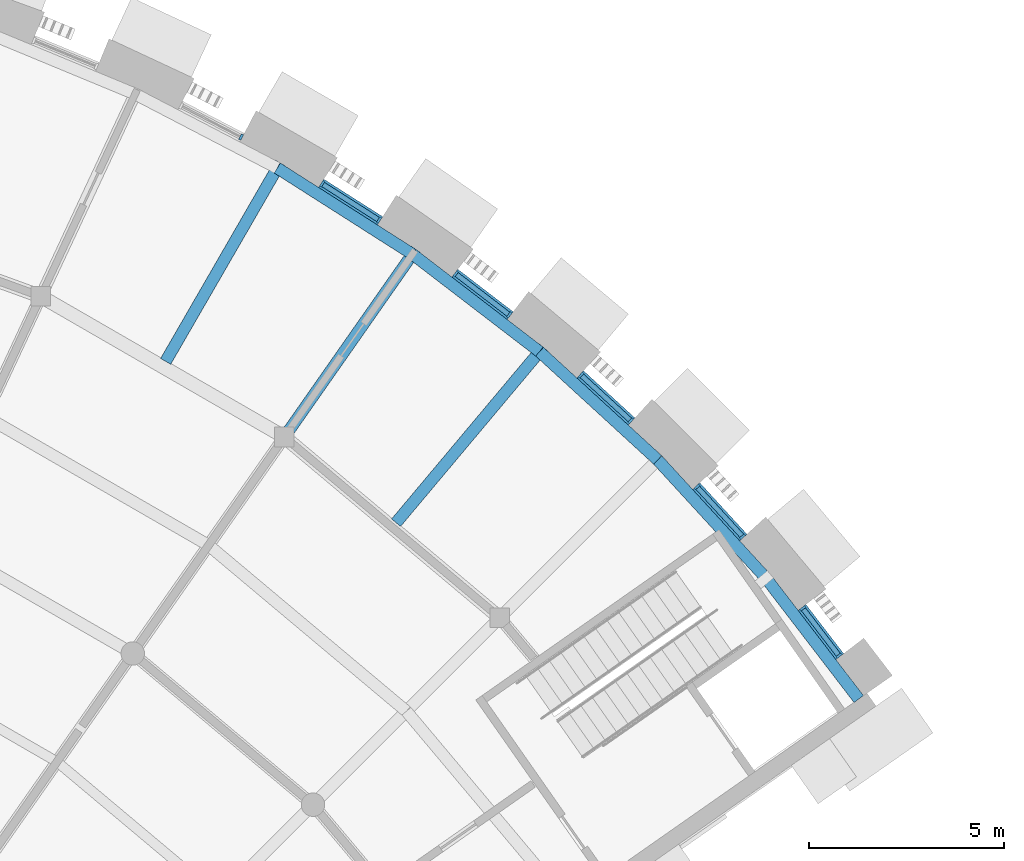
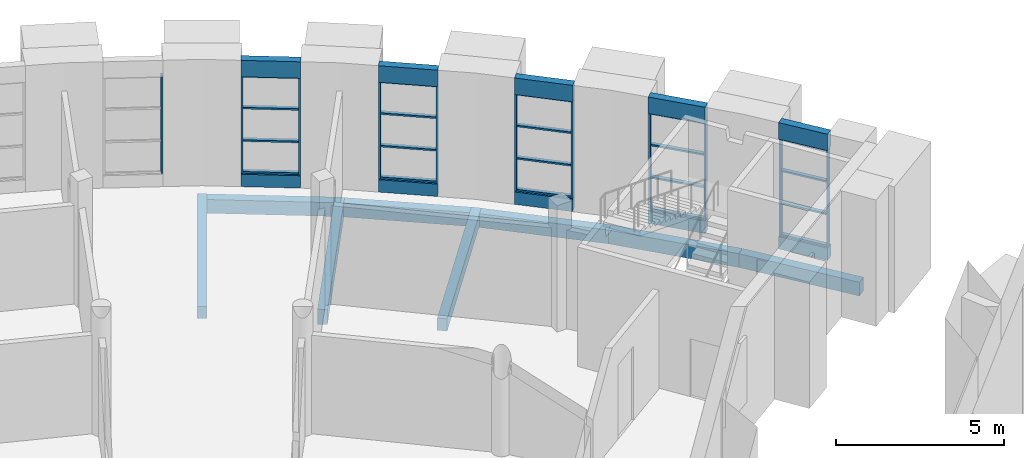
# One storey, part 15 of 50: 31 members, 18 beams, 6 elements without a shape of their own.
"""IFC4 building model written with IfcOpenShell, lengths in metres."""

from ifc_helpers import new_model, si_unit, direction, frame, origin, origin_2d, place, context, subcontext, project, spatial, rectangle, extrude, material, layer, layer_set, material_profile, profile_set, type_object, element, aggregate, save


model = new_model("IFC4")

# Units and contexts
model_context = context("Model", 3, precision=1e-05, world=origin(), true_north=direction((0.0, 1.0)))
body_context = subcontext(model_context, "Body", "Model", "MODEL_VIEW")
ifc_project = project(units=[si_unit("LENGTHUNIT", "METRE"), si_unit("AREAUNIT", "SQUARE_METRE"), si_unit("VOLUMEUNIT", "CUBIC_METRE"), si_unit("PLANEANGLEUNIT", "RADIAN"), si_unit("MASSUNIT", "GRAM", prefix="KILO")], contexts=[model_context])

# Site, building, storey
site_placement = place(None, origin())
site = spatial("IfcSite", under=ifc_project, at=site_placement, CompositionType="ELEMENT")
building_placement = place(site_placement, origin())
building = spatial("IfcBuilding", under=site, at=building_placement, Name="Volute Hill Aquarium", CompositionType="ELEMENT")
storey_placement = place(building_placement, frame((0.0, 0.0, 9.199951171875)))
storey = spatial("IfcBuildingStorey", under=building, at=storey_placement, Name="L03", CompositionType="ELEMENT", Elevation=9.199951171875)

# Beam
ifc_material_1 = material(Name="Concrete C35/45", Category="concrete")
ifc_material_profile_1 = material_profile(ifc_material_1, rectangle(XDim=0.300048828125, YDim=0.550048828125, at=origin_2d()), Name="RC beam 300x550")
ifc_profile_set_1 = profile_set([ifc_material_profile_1], Name="Concrete C35/45")
beam_type_1 = type_object("IfcBeamType", Name="Beam 300x550 C35/45", PredefinedType="BEAM", material=ifc_profile_set_1)
beam_1_placement = place(storey_placement, frame((23.681396484375, 33.82080078125, -0.56494140625), z_axis=(0.573602080408, 0.819134087529, 0.0), x_axis=(-0.819134087529, 0.573602080408, 0.0)))
element("IfcBeam", 1, at=beam_1_placement, inside=storey, type_object=beam_type_1, Name="bm/S5/L03/rad2.8", PredefinedType="BEAM", context=body_context, shape_type="SweptSolid", body=[
    extrude(rectangle(XDim=0.300048828125, YDim=0.550048828125, at=origin_2d()), origin(), (0.0, 0.0, 1.0), 5.862548828125),
])

# Curtain wall, members
ifc_material_2 = material(Name="Aluminium", Category="aluminium")
ifc_layer_1 = layer(ifc_material_2, 0.25)
ifc_layer_set_1 = layer_set([ifc_layer_1], Name="Curtain wall niche S5 module 1585")
curtain_wall_type_1 = type_object("IfcCurtainWallType", Name="Curtain wall niche S5 module 1585", PredefinedType="NOTDEFINED", material=ifc_layer_set_1)
curtain_wall_1_placement = place(storey_placement, origin())
curtain_wall_1 = element("IfcCurtainWall", 2, at=curtain_wall_1_placement, inside=storey, type_object=curtain_wall_type_1, Name="Curtain wall CW S5 L03 1", PredefinedType="NOTDEFINED")
ifc_material_3 = material(Name="Aluminium", Category="aluminium")
ifc_material_profile_2 = material_profile(ifc_material_3, rectangle(XDim=0.159912109375, YDim=0.06005859375, at=origin_2d()), Name="Curtain wall mullion S5 60x160")
ifc_profile_set_2 = profile_set([ifc_material_profile_2], Name="Aluminium")
member_type_1 = type_object("IfcMemberType", Name="Curtain wall mullion S5 60x160", PredefinedType="MULLION", material=ifc_profile_set_2)
member_1_placement = place(storey_placement, frame((37.873046875, 28.225830078125, 0.449951171875), z_axis=(0.0, 0.0, 1.0), x_axis=(-0.793360616468, -0.608751946393, 0.0)))
member_1 = element("IfcMember", 3, at=member_1_placement, type_object=member_type_1, Name="CW mullion 1", PredefinedType="MULLION", context=body_context, shape_type="SweptSolid", body=[
    extrude(rectangle(XDim=0.159912109375, YDim=0.06005859375, at=origin_2d()), origin(), (0.0, 0.0, 1.0), 3.550048828125),
])
member_2_placement = place(storey_placement, frame((36.944580078125, 29.43603515625, 0.449951171875), z_axis=(0.0, 0.0, 1.0), x_axis=(-0.793360616468, -0.608751946393, 0.0)))
member_2 = element("IfcMember", 4, at=member_2_placement, type_object=member_type_1, Name="CW mullion 2", PredefinedType="MULLION", context=body_context, shape_type="SweptSolid", body=[
    extrude(rectangle(XDim=0.159912109375, YDim=0.06005859375, at=origin_2d()), origin(), (0.0, 0.0, 1.0), 3.550048828125),
])

ifc_material_4 = material(Name="Aluminium", Category="aluminium")
ifc_layer_2 = layer(ifc_material_4, 0.25)
ifc_layer_set_2 = layer_set([ifc_layer_2], Name="Curtain wall niche S5 module 1786")
curtain_wall_type_2 = type_object("IfcCurtainWallType", Name="Curtain wall niche S5 module 1786", PredefinedType="NOTDEFINED", material=ifc_layer_set_2)
curtain_wall_2_placement = place(storey_placement, origin())
curtain_wall_2 = element("IfcCurtainWall", 5, at=curtain_wall_2_placement, inside=storey, type_object=curtain_wall_type_2, Name="Curtain wall CW S5 L03 2", PredefinedType="NOTDEFINED")
member_3_placement = place(storey_placement, frame((35.404296875, 31.271728515625, 0.449951171875), z_axis=(0.0, 0.0, 1.0), x_axis=(-0.737282446313, -0.675584631529, 0.0)))
member_3 = element("IfcMember", 6, at=member_3_placement, type_object=member_type_1, Name="CW mullion 1", PredefinedType="MULLION", context=body_context, shape_type="SweptSolid", body=[
    extrude(rectangle(XDim=0.159912109375, YDim=0.06005859375, at=origin_2d()), origin(), (0.0, 0.0, 1.0), 3.550048828125),
])
member_4_placement = place(storey_placement, frame((34.238525390625, 32.544189453125, 0.449951171875), z_axis=(0.0, 0.0, 1.0), x_axis=(-0.737282446313, -0.675584631529, 0.0)))
member_4 = element("IfcMember", 7, at=member_4_placement, type_object=member_type_1, Name="CW mullion 2", PredefinedType="MULLION", context=body_context, shape_type="SweptSolid", body=[
    extrude(rectangle(XDim=0.159912109375, YDim=0.06005859375, at=origin_2d()), origin(), (0.0, 0.0, 1.0), 3.550048828125),
])

curtain_wall_3_placement = place(storey_placement, origin())
curtain_wall_3 = element("IfcCurtainWall", 8, at=curtain_wall_3_placement, inside=storey, type_object=curtain_wall_type_2, Name="Curtain wall CW S5 L03 3", PredefinedType="NOTDEFINED")
member_5_placement = place(storey_placement, frame((32.5439453125, 34.238525390625, 0.449951171875), z_axis=(0.0, 0.0, 1.0), x_axis=(-0.675584631529, -0.737282446313, 0.0)))
member_5 = element("IfcMember", 9, at=member_5_placement, type_object=member_type_1, Name="CW mullion 1", PredefinedType="MULLION", context=body_context, shape_type="SweptSolid", body=[
    extrude(rectangle(XDim=0.159912109375, YDim=0.06005859375, at=origin_2d()), origin(), (0.0, 0.0, 1.0), 3.550048828125),
])
member_6_placement = place(storey_placement, frame((31.271728515625, 35.404296875, 0.449951171875), z_axis=(0.0, 0.0, 1.0), x_axis=(-0.675584631529, -0.737282446313, 0.0)))
member_6 = element("IfcMember", 10, at=member_6_placement, type_object=member_type_1, Name="CW mullion 2", PredefinedType="MULLION", context=body_context, shape_type="SweptSolid", body=[
    extrude(rectangle(XDim=0.159912109375, YDim=0.06005859375, at=origin_2d()), origin(), (0.0, 0.0, 1.0), 3.550048828125),
])

curtain_wall_4_placement = place(storey_placement, origin())
curtain_wall_4 = element("IfcCurtainWall", 11, at=curtain_wall_4_placement, inside=storey, type_object=curtain_wall_type_2, Name="Curtain wall CW S5 L03 4", PredefinedType="NOTDEFINED")
member_7_placement = place(storey_placement, frame((29.43603515625, 36.944580078125, 0.449951171875), z_axis=(0.0, 0.0, 1.0), x_axis=(-0.608754932261, -0.793358325379, 0.0)))
member_7 = element("IfcMember", 12, at=member_7_placement, type_object=member_type_1, Name="CW mullion 1", PredefinedType="MULLION", context=body_context, shape_type="SweptSolid", body=[
    extrude(rectangle(XDim=0.159912109375, YDim=0.06005859375, at=origin_2d()), origin(), (0.0, 0.0, 1.0), 3.550048828125),
])
member_8_placement = place(storey_placement, frame((28.067138671875, 37.9951171875, 0.449951171875), z_axis=(0.0, 0.0, 1.0), x_axis=(-0.608754932261, -0.793358325379, 0.0)))
member_8 = element("IfcMember", 13, at=member_8_placement, type_object=member_type_1, Name="CW mullion 2", PredefinedType="MULLION", context=body_context, shape_type="SweptSolid", body=[
    extrude(rectangle(XDim=0.159912109375, YDim=0.06005859375, at=origin_2d()), origin(), (0.0, 0.0, 1.0), 3.550048828125),
])

curtain_wall_5_placement = place(storey_placement, origin())
curtain_wall_5 = element("IfcCurtainWall", 14, at=curtain_wall_5_placement, inside=storey, type_object=curtain_wall_type_2, Name="Curtain wall CW S5 L03 5", PredefinedType="NOTDEFINED")
member_9_placement = place(storey_placement, frame((26.10400390625, 39.36962890625, 0.449951171875), z_axis=(0.0, 0.0, 1.0), x_axis=(-0.537309538629, -0.843385119444, 0.0)))
member_9 = element("IfcMember", 15, at=member_9_placement, type_object=member_type_1, Name="CW mullion 1", PredefinedType="MULLION", context=body_context, shape_type="SweptSolid", body=[
    extrude(rectangle(XDim=0.159912109375, YDim=0.06005859375, at=origin_2d()), origin(), (0.0, 0.0, 1.0), 3.550048828125),
])
member_10_placement = place(storey_placement, frame((24.648681640625, 40.296630859375, 0.449951171875), z_axis=(0.0, 0.0, 1.0), x_axis=(-0.537309538629, -0.843385119444, 0.0)))
member_10 = element("IfcMember", 16, at=member_10_placement, type_object=member_type_1, Name="CW mullion 2", PredefinedType="MULLION", context=body_context, shape_type="SweptSolid", body=[
    extrude(rectangle(XDim=0.159912109375, YDim=0.06005859375, at=origin_2d()), origin(), (0.0, 0.0, 1.0), 3.550048828125),
])

# Curtain wall, member
curtain_wall_6_placement = place(storey_placement, origin())
curtain_wall_6 = element("IfcCurtainWall", 17, at=curtain_wall_6_placement, inside=storey, type_object=curtain_wall_type_2, Name="Curtain wall CW S5 L03 6", PredefinedType="NOTDEFINED")
member_11_placement = place(storey_placement, frame((22.573486328125, 41.494873046875, 0.449951171875), z_axis=(0.0, 0.0, 1.0), x_axis=(-0.461755077763, -0.887007467928, 0.0)))
member_11 = element("IfcMember", 18, at=member_11_placement, type_object=member_type_1, Name="CW mullion 1", PredefinedType="MULLION", context=body_context, shape_type="SweptSolid", body=[
    extrude(rectangle(XDim=0.159912109375, YDim=0.06005859375, at=origin_2d()), origin(), (0.0, 0.0, 1.0), 3.550048828125),
])
aggregate(curtain_wall_6, [member_11])

# Member
ifc_material_5 = material(Name="Aluminium", Category="aluminium")
ifc_material_profile_3 = material_profile(ifc_material_5, rectangle(XDim=0.1298828125, YDim=0.06005859375, at=origin_2d()), Name="Curtain wall transom S5 60x130")
ifc_profile_set_3 = profile_set([ifc_material_profile_3], Name="Aluminium")
member_type_2 = type_object("IfcMemberType", Name="Curtain wall transom S5 60x130", PredefinedType="USERDEFINED", material=ifc_profile_set_3)
member_12_placement = place(storey_placement, frame((37.85498046875, 28.249755859375, 0.47998046875), z_axis=(-0.608760263302, 0.793354234768, 0.0), x_axis=(-0.793354234768, -0.608760263302, 0.0)))
member_12 = element("IfcMember", 19, at=member_12_placement, type_object=member_type_2, Name="CW transom 1.1", ObjectType="TRANSOM", PredefinedType="USERDEFINED", context=body_context, shape_type="SweptSolid", body=[
    extrude(rectangle(XDim=0.1298828125, YDim=0.06005859375, at=origin_2d()), origin(), (0.0, 0.0, 1.0), 1.46533203125),
])

member_13_placement = place(storey_placement, frame((37.85498046875, 28.249755859375, 1.63330078125), z_axis=(-0.608760263302, 0.793354234768, 0.0), x_axis=(-0.793354234768, -0.608760263302, 0.0)))
member_13 = element("IfcMember", 20, at=member_13_placement, type_object=member_type_2, Name="CW transom 1.2", ObjectType="TRANSOM", PredefinedType="USERDEFINED", context=body_context, shape_type="SweptSolid", body=[
    extrude(rectangle(XDim=0.1298828125, YDim=0.06005859375, at=origin_2d()), origin(), (0.0, 0.0, 1.0), 1.46533203125),
])

member_14_placement = place(storey_placement, frame((37.85498046875, 28.249755859375, 2.816650390625), z_axis=(-0.608760263302, 0.793354234768, 0.0), x_axis=(-0.793354234768, -0.608760263302, 0.0)))
member_14 = element("IfcMember", 21, at=member_14_placement, type_object=member_type_2, Name="CW transom 1.3", ObjectType="TRANSOM", PredefinedType="USERDEFINED", context=body_context, shape_type="SweptSolid", body=[
    extrude(rectangle(XDim=0.1298828125, YDim=0.06005859375, at=origin_2d()), origin(), (0.0, 0.0, 1.0), 1.46533203125),
])

member_15_placement = place(storey_placement, frame((37.85498046875, 28.249755859375, 3.969970703125), z_axis=(-0.608760263302, 0.793354234768, 0.0), x_axis=(-0.793354234768, -0.608760263302, 0.0)))
member_15 = element("IfcMember", 22, at=member_15_placement, type_object=member_type_2, Name="CW transom 1.4", ObjectType="TRANSOM", PredefinedType="USERDEFINED", context=body_context, shape_type="SweptSolid", body=[
    extrude(rectangle(XDim=0.1298828125, YDim=0.06005859375, at=origin_2d()), origin(), (0.0, 0.0, 1.0), 1.46533203125),
])

aggregate(curtain_wall_1, [member_1, member_2, member_12, member_13, member_14, member_15])

member_16_placement = place(storey_placement, frame((35.384033203125, 31.2939453125, 0.47998046875), z_axis=(-0.675578590257, 0.73728798199, 0.0), x_axis=(-0.73728798199, -0.675578590257, 0.0)))
member_16 = element("IfcMember", 23, at=member_16_placement, type_object=member_type_2, Name="CW transom 1.1", ObjectType="TRANSOM", PredefinedType="USERDEFINED", context=body_context, shape_type="SweptSolid", body=[
    extrude(rectangle(XDim=0.1298828125, YDim=0.06005859375, at=origin_2d()), origin(), (0.0, 0.0, 1.0), 1.66552734375),
])

member_17_placement = place(storey_placement, frame((35.384033203125, 31.2939453125, 1.63330078125), z_axis=(-0.675578590257, 0.73728798199, 0.0), x_axis=(-0.73728798199, -0.675578590257, 0.0)))
member_17 = element("IfcMember", 24, at=member_17_placement, type_object=member_type_2, Name="CW transom 1.2", ObjectType="TRANSOM", PredefinedType="USERDEFINED", context=body_context, shape_type="SweptSolid", body=[
    extrude(rectangle(XDim=0.1298828125, YDim=0.06005859375, at=origin_2d()), origin(), (0.0, 0.0, 1.0), 1.66552734375),
])

member_18_placement = place(storey_placement, frame((35.384033203125, 31.2939453125, 2.816650390625), z_axis=(-0.675578590257, 0.73728798199, 0.0), x_axis=(-0.73728798199, -0.675578590257, 0.0)))
member_18 = element("IfcMember", 25, at=member_18_placement, type_object=member_type_2, Name="CW transom 1.3", ObjectType="TRANSOM", PredefinedType="USERDEFINED", context=body_context, shape_type="SweptSolid", body=[
    extrude(rectangle(XDim=0.1298828125, YDim=0.06005859375, at=origin_2d()), origin(), (0.0, 0.0, 1.0), 1.66552734375),
])

member_19_placement = place(storey_placement, frame((35.384033203125, 31.2939453125, 3.969970703125), z_axis=(-0.675578590257, 0.73728798199, 0.0), x_axis=(-0.73728798199, -0.675578590257, 0.0)))
member_19 = element("IfcMember", 26, at=member_19_placement, type_object=member_type_2, Name="CW transom 1.4", ObjectType="TRANSOM", PredefinedType="USERDEFINED", context=body_context, shape_type="SweptSolid", body=[
    extrude(rectangle(XDim=0.1298828125, YDim=0.06005859375, at=origin_2d()), origin(), (0.0, 0.0, 1.0), 1.66552734375),
])

aggregate(curtain_wall_2, [member_3, member_4, member_16, member_17, member_18, member_19])

member_20_placement = place(storey_placement, frame((32.52197265625, 34.2587890625, 0.47998046875), z_axis=(-0.73728798199, 0.675578590257, 0.0), x_axis=(-0.675578590257, -0.73728798199, 0.0)))
member_20 = element("IfcMember", 27, at=member_20_placement, type_object=member_type_2, Name="CW transom 1.1", ObjectType="TRANSOM", PredefinedType="USERDEFINED", context=body_context, shape_type="SweptSolid", body=[
    extrude(rectangle(XDim=0.1298828125, YDim=0.06005859375, at=origin_2d()), origin(), (0.0, 0.0, 1.0), 1.66552734375),
])

member_21_placement = place(storey_placement, frame((32.52197265625, 34.2587890625, 1.63330078125), z_axis=(-0.73728798199, 0.675578590257, 0.0), x_axis=(-0.675578590257, -0.73728798199, 0.0)))
member_21 = element("IfcMember", 28, at=member_21_placement, type_object=member_type_2, Name="CW transom 1.2", ObjectType="TRANSOM", PredefinedType="USERDEFINED", context=body_context, shape_type="SweptSolid", body=[
    extrude(rectangle(XDim=0.1298828125, YDim=0.06005859375, at=origin_2d()), origin(), (0.0, 0.0, 1.0), 1.66552734375),
])

member_22_placement = place(storey_placement, frame((32.52197265625, 34.2587890625, 2.816650390625), z_axis=(-0.73728798199, 0.675578590257, 0.0), x_axis=(-0.675578590257, -0.73728798199, 0.0)))
member_22 = element("IfcMember", 29, at=member_22_placement, type_object=member_type_2, Name="CW transom 1.3", ObjectType="TRANSOM", PredefinedType="USERDEFINED", context=body_context, shape_type="SweptSolid", body=[
    extrude(rectangle(XDim=0.1298828125, YDim=0.06005859375, at=origin_2d()), origin(), (0.0, 0.0, 1.0), 1.66552734375),
])

member_23_placement = place(storey_placement, frame((32.52197265625, 34.2587890625, 3.969970703125), z_axis=(-0.73728798199, 0.675578590257, 0.0), x_axis=(-0.675578590257, -0.73728798199, 0.0)))
member_23 = element("IfcMember", 30, at=member_23_placement, type_object=member_type_2, Name="CW transom 1.4", ObjectType="TRANSOM", PredefinedType="USERDEFINED", context=body_context, shape_type="SweptSolid", body=[
    extrude(rectangle(XDim=0.1298828125, YDim=0.06005859375, at=origin_2d()), origin(), (0.0, 0.0, 1.0), 1.66552734375),
])

aggregate(curtain_wall_3, [member_5, member_6, member_20, member_21, member_22, member_23])

member_24_placement = place(storey_placement, frame((29.412353515625, 36.962890625, 0.47998046875), z_axis=(-0.793391634362, 0.608711519953, 0.0), x_axis=(-0.608711519953, -0.793391634362, 0.0)))
member_24 = element("IfcMember", 31, at=member_24_placement, type_object=member_type_2, Name="CW transom 1.1", ObjectType="TRANSOM", PredefinedType="USERDEFINED", context=body_context, shape_type="SweptSolid", body=[
    extrude(rectangle(XDim=0.1298828125, YDim=0.06005859375, at=origin_2d()), origin(), (0.0, 0.0, 1.0), 1.665771484375),
])

member_25_placement = place(storey_placement, frame((29.412353515625, 36.962890625, 1.63330078125), z_axis=(-0.793391634362, 0.608711519953, 0.0), x_axis=(-0.608711519953, -0.793391634362, 0.0)))
member_25 = element("IfcMember", 32, at=member_25_placement, type_object=member_type_2, Name="CW transom 1.2", ObjectType="TRANSOM", PredefinedType="USERDEFINED", context=body_context, shape_type="SweptSolid", body=[
    extrude(rectangle(XDim=0.1298828125, YDim=0.06005859375, at=origin_2d()), origin(), (0.0, 0.0, 1.0), 1.665771484375),
])

member_26_placement = place(storey_placement, frame((29.412353515625, 36.962890625, 2.816650390625), z_axis=(-0.793391634362, 0.608711519953, 0.0), x_axis=(-0.608711519953, -0.793391634362, 0.0)))
member_26 = element("IfcMember", 33, at=member_26_placement, type_object=member_type_2, Name="CW transom 1.3", ObjectType="TRANSOM", PredefinedType="USERDEFINED", context=body_context, shape_type="SweptSolid", body=[
    extrude(rectangle(XDim=0.1298828125, YDim=0.06005859375, at=origin_2d()), origin(), (0.0, 0.0, 1.0), 1.665771484375),
])

member_27_placement = place(storey_placement, frame((29.412353515625, 36.962890625, 3.969970703125), z_axis=(-0.793391634362, 0.608711519953, 0.0), x_axis=(-0.608711519953, -0.793391634362, 0.0)))
member_27 = element("IfcMember", 34, at=member_27_placement, type_object=member_type_2, Name="CW transom 1.4", ObjectType="TRANSOM", PredefinedType="USERDEFINED", context=body_context, shape_type="SweptSolid", body=[
    extrude(rectangle(XDim=0.1298828125, YDim=0.06005859375, at=origin_2d()), origin(), (0.0, 0.0, 1.0), 1.665771484375),
])

aggregate(curtain_wall_4, [member_7, member_8, member_24, member_25, member_26, member_27])

member_28_placement = place(storey_placement, frame((26.078857421875, 39.3857421875, 0.47998046875), z_axis=(-0.843438091361, 0.537226382488, 0.0), x_axis=(-0.537226382488, -0.843438091361, 0.0)))
member_28 = element("IfcMember", 35, at=member_28_placement, type_object=member_type_2, Name="CW transom 1.1", ObjectType="TRANSOM", PredefinedType="USERDEFINED", context=body_context, shape_type="SweptSolid", body=[
    extrude(rectangle(XDim=0.1298828125, YDim=0.06005859375, at=origin_2d()), origin(), (0.0, 0.0, 1.0), 1.66552734375),
])

member_29_placement = place(storey_placement, frame((26.078857421875, 39.3857421875, 1.63330078125), z_axis=(-0.843438091361, 0.537226382488, 0.0), x_axis=(-0.537226382488, -0.843438091361, 0.0)))
member_29 = element("IfcMember", 36, at=member_29_placement, type_object=member_type_2, Name="CW transom 1.2", ObjectType="TRANSOM", PredefinedType="USERDEFINED", context=body_context, shape_type="SweptSolid", body=[
    extrude(rectangle(XDim=0.1298828125, YDim=0.06005859375, at=origin_2d()), origin(), (0.0, 0.0, 1.0), 1.66552734375),
])

member_30_placement = place(storey_placement, frame((26.078857421875, 39.3857421875, 2.816650390625), z_axis=(-0.843438091361, 0.537226382488, 0.0), x_axis=(-0.537226382488, -0.843438091361, 0.0)))
member_30 = element("IfcMember", 37, at=member_30_placement, type_object=member_type_2, Name="CW transom 1.3", ObjectType="TRANSOM", PredefinedType="USERDEFINED", context=body_context, shape_type="SweptSolid", body=[
    extrude(rectangle(XDim=0.1298828125, YDim=0.06005859375, at=origin_2d()), origin(), (0.0, 0.0, 1.0), 1.66552734375),
])

member_31_placement = place(storey_placement, frame((26.078857421875, 39.3857421875, 3.969970703125), z_axis=(-0.843438091361, 0.537226382488, 0.0), x_axis=(-0.537226382488, -0.843438091361, 0.0)))
member_31 = element("IfcMember", 38, at=member_31_placement, type_object=member_type_2, Name="CW transom 1.4", ObjectType="TRANSOM", PredefinedType="USERDEFINED", context=body_context, shape_type="SweptSolid", body=[
    extrude(rectangle(XDim=0.1298828125, YDim=0.06005859375, at=origin_2d()), origin(), (0.0, 0.0, 1.0), 1.66552734375),
])

aggregate(curtain_wall_5, [member_9, member_10, member_28, member_29, member_30, member_31])

# Beams
ifc_material_6 = material(Name="Concrete C35/45", Category="concrete")
ifc_material_profile_4 = material_profile(ifc_material_6, rectangle(XDim=0.300048828125, YDim=0.5, at=origin_2d()), Name="RC edge beam 300x500")
ifc_profile_set_4 = profile_set([ifc_material_profile_4], Name="Concrete C35/45")
beam_type_2 = type_object("IfcBeamType", Name="Edge beam 300x500 C35/45", PredefinedType="BEAM", material=ifc_profile_set_4)
beam_2_placement = place(storey_placement, frame((38.378173828125, 27.11669921875, -0.5400390625), z_axis=(-0.608757400599, 0.793356431382, 0.0), x_axis=(-0.793356431382, -0.608757400599, 0.0)))
element("IfcBeam", 39, at=beam_2_placement, inside=storey, type_object=beam_type_2, Name="bm/S5/L03/edgeO.42", PredefinedType="BEAM", context=body_context, shape_type="SweptSolid", body=[
    extrude(rectangle(XDim=0.300048828125, YDim=0.5, at=origin_2d()), origin(), (0.0, 0.0, 1.0), 3.900146484375),
])
for number, where, z_axis, x_axis, name in (
    (40, (36.00390625, 30.2109375, -0.5400390625), (-0.675589799899, 0.737277710413, 0.0), (-0.737277710413, -0.675589799899, 0.0), "bm/S5/L03/edgeO.43"),
    (41, (33.23388671875, 33.23388671875, -0.5400390625), (-0.737277710413, 0.675589799899, 0.0), (-0.675589799899, -0.737277710413, 0.0), "bm/S5/L03/edgeO.44"),
):
    element("IfcBeam", number, at=place(storey_placement, frame(where, z_axis=z_axis, x_axis=x_axis)), inside=storey, type_object=beam_type_2, Name=name, PredefinedType="BEAM", context=body_context, shape_type="SweptSolid", body=[
        extrude(rectangle(XDim=0.300048828125, YDim=0.5, at=origin_2d()), origin(), (0.0, 0.0, 1.0), 4.10009765625),
    ])
beam_3_placement = place(storey_placement, frame((30.2109375, 36.00390625, -0.5400390625), z_axis=(-0.793349451978, 0.608766496324, 0.0), x_axis=(-0.608766496324, -0.793349451978, 0.0)))
element("IfcBeam", 42, at=beam_3_placement, inside=storey, type_object=beam_type_2, Name="bm/S5/L03/edgeO.45", PredefinedType="BEAM", context=body_context, shape_type="SweptSolid", body=[
    extrude(rectangle(XDim=0.300048828125, YDim=0.5, at=origin_2d()), origin(), (0.0, 0.0, 1.0), 4.100341796875),
])
beam_4_placement = place(storey_placement, frame((26.9580078125, 38.5, -0.5400390625), z_axis=(-0.843376960623, 0.537322344864, 0.0), x_axis=(-0.537322344864, -0.843376960623, 0.0)))
element("IfcBeam", 43, at=beam_4_placement, inside=storey, type_object=beam_type_2, Name="bm/S5/L03/edgeO.46", PredefinedType="BEAM", context=body_context, shape_type="SweptSolid", body=[
    extrude(rectangle(XDim=0.300048828125, YDim=0.5, at=origin_2d()), origin(), (0.0, 0.0, 1.0), 4.10009765625),
])
ifc_material_7 = material(Name="Concrete C35/45", Category="concrete")
ifc_material_profile_5 = material_profile(ifc_material_7, rectangle(XDim=0.300048828125, YDim=0.449951171875, at=origin_2d()), Name="RC joist 300x450")
ifc_profile_set_5 = profile_set([ifc_material_profile_5], Name="Concrete C35/45")
beam_type_3 = type_object("IfcBeamType", Name="Joist 300x450 C35/45", PredefinedType="BEAM", material=ifc_profile_set_5)
for number, where, z_axis, x_axis, name in (
    (44, (26.5390625, 31.628173828125, -0.514892578125), (0.642802306636, 0.766032110674, 0.0), (-0.766032110674, 0.642802306636, 0.0), "bm/S5/L03/rjst2"),
    (45, (20.643798828125, 35.756103515625, -0.514892578125), (0.500000035988, 0.866025383007, 0.0), (-0.866025383007, 0.500000035988, 0.0), "bm/S5/L03/rjst3"),
):
    element("IfcBeam", number, at=place(storey_placement, frame(where, z_axis=z_axis, x_axis=x_axis)), inside=storey, type_object=beam_type_3, Name=name, PredefinedType="BEAM", context=body_context, shape_type="SweptSolid", body=[
        extrude(rectangle(XDim=0.300048828125, YDim=0.449951171875, at=origin_2d()), origin(), (0.0, 0.0, 1.0), 5.8623046875),
    ])
ifc_material_8 = material(Name="Concrete C35/45", Category="concrete")
ifc_material_profile_6 = material_profile(ifc_material_8, rectangle(XDim=0.25, YDim=0.60009765625, at=origin_2d()), Name="RC beam 250x600")
ifc_profile_set_6 = profile_set([ifc_material_profile_6], Name="Concrete C35/45")
beam_type_4 = type_object("IfcBeamType", Name="Niche head beam RC 250x600 C35/45", PredefinedType="BEAM", material=ifc_profile_set_6)
beam_5_placement = place(storey_placement, frame((37.891357421875, 28.2021484375, 4.300048828125), z_axis=(-0.608735390594, 0.793373319591, 0.0), x_axis=(-0.793373319591, -0.608735390594, 0.0)))
element("IfcBeam", 46, at=beam_5_placement, inside=storey, type_object=beam_type_4, Name="Niche head beam OWB S5 L03 1", PredefinedType="BEAM", context=body_context, shape_type="SweptSolid", body=[
    extrude(rectangle(XDim=0.25, YDim=0.60009765625, at=origin_2d()), origin(), (0.0, 0.0, 1.0), 1.58544921875),
])
for number, where, z_axis, x_axis, name in (
    (47, (35.424560546875, 31.249755859375, 4.300048828125), (-0.675600784767, 0.737267644497, 0.0), (-0.737267644497, -0.675600784767, 0.0), "Niche head beam OWB S5 L03 2"),
    (48, (32.566162109375, 34.21826171875, 4.300048828125), (-0.737267644497, 0.675600784767, 0.0), (-0.675600784767, -0.737267644497, 0.0), "Niche head beam OWB S5 L03 3"),
):
    element("IfcBeam", number, at=place(storey_placement, frame(where, z_axis=z_axis, x_axis=x_axis)), inside=storey, type_object=beam_type_4, Name=name, PredefinedType="BEAM", context=body_context, shape_type="SweptSolid", body=[
        extrude(rectangle(XDim=0.25, YDim=0.60009765625, at=origin_2d()), origin(), (0.0, 0.0, 1.0), 1.785400390625),
    ])
beam_6_placement = place(storey_placement, frame((29.4599609375, 36.92626953125, 4.300048828125), z_axis=(-0.793340036434, 0.608778766541, 0.0), x_axis=(-0.608778766541, -0.793340036434, 0.0)))
element("IfcBeam", 49, at=beam_6_placement, inside=storey, type_object=beam_type_4, Name="Niche head beam OWB S5 L03 4", PredefinedType="BEAM", context=body_context, shape_type="SweptSolid", body=[
    extrude(rectangle(XDim=0.25, YDim=0.60009765625, at=origin_2d()), origin(), (0.0, 0.0, 1.0), 1.785888671875),
])
beam_7_placement = place(storey_placement, frame((26.12939453125, 39.353515625, 4.300048828125), z_axis=(-0.843419289708, 0.537255899686, 0.0), x_axis=(-0.537255899686, -0.843419289708, 0.0)))
element("IfcBeam", 50, at=beam_7_placement, inside=storey, type_object=beam_type_4, Name="Niche head beam OWB S5 L03 5", PredefinedType="BEAM", context=body_context, shape_type="SweptSolid", body=[
    extrude(rectangle(XDim=0.25, YDim=0.60009765625, at=origin_2d()), origin(), (0.0, 0.0, 1.0), 1.785400390625),
])
ifc_material_9 = material(Name="Concrete C35/45", Category="concrete")
ifc_material_profile_7 = material_profile(ifc_material_9, rectangle(XDim=0.25, YDim=0.449951171875, at=origin_2d()), Name="RC beam 250x450")
ifc_profile_set_7 = profile_set([ifc_material_profile_7], Name="Concrete C35/45")
beam_type_5 = type_object("IfcBeamType", Name="Niche sill beam RC 250x450 C35/45", PredefinedType="BEAM", material=ifc_profile_set_7)
beam_8_placement = place(storey_placement, frame((37.891357421875, 28.2021484375, 0.22509765625), z_axis=(-0.608735390594, 0.793373319591, 0.0), x_axis=(-0.793373319591, -0.608735390594, 0.0)))
element("IfcBeam", 51, at=beam_8_placement, inside=storey, type_object=beam_type_5, Name="Niche sill beam OWB S5 L03 1", PredefinedType="BEAM", context=body_context, shape_type="SweptSolid", body=[
    extrude(rectangle(XDim=0.25, YDim=0.449951171875, at=origin_2d()), origin(), (0.0, 0.0, 1.0), 1.58544921875),
])
for number, where, z_axis, x_axis, name in (
    (52, (35.424560546875, 31.249755859375, 0.22509765625), (-0.675600784767, 0.737267644497, 0.0), (-0.737267644497, -0.675600784767, 0.0), "Niche sill beam OWB S5 L03 2"),
    (53, (32.566162109375, 34.21826171875, 0.22509765625), (-0.737267644497, 0.675600784767, 0.0), (-0.675600784767, -0.737267644497, 0.0), "Niche sill beam OWB S5 L03 3"),
):
    element("IfcBeam", number, at=place(storey_placement, frame(where, z_axis=z_axis, x_axis=x_axis)), inside=storey, type_object=beam_type_5, Name=name, PredefinedType="BEAM", context=body_context, shape_type="SweptSolid", body=[
        extrude(rectangle(XDim=0.25, YDim=0.449951171875, at=origin_2d()), origin(), (0.0, 0.0, 1.0), 1.785400390625),
    ])
beam_9_placement = place(storey_placement, frame((29.4599609375, 36.92626953125, 0.22509765625), z_axis=(-0.793340036434, 0.608778766541, 0.0), x_axis=(-0.608778766541, -0.793340036434, 0.0)))
element("IfcBeam", 54, at=beam_9_placement, inside=storey, type_object=beam_type_5, Name="Niche sill beam OWB S5 L03 4", PredefinedType="BEAM", context=body_context, shape_type="SweptSolid", body=[
    extrude(rectangle(XDim=0.25, YDim=0.449951171875, at=origin_2d()), origin(), (0.0, 0.0, 1.0), 1.785888671875),
])
beam_10_placement = place(storey_placement, frame((26.12939453125, 39.353515625, 0.22509765625), z_axis=(-0.843419289708, 0.537255899686, 0.0), x_axis=(-0.537255899686, -0.843419289708, 0.0)))
element("IfcBeam", 55, at=beam_10_placement, inside=storey, type_object=beam_type_5, Name="Niche sill beam OWB S5 L03 5", PredefinedType="BEAM", context=body_context, shape_type="SweptSolid", body=[
    extrude(rectangle(XDim=0.25, YDim=0.449951171875, at=origin_2d()), origin(), (0.0, 0.0, 1.0), 1.785400390625),
])

save(model, "model.ifc")
